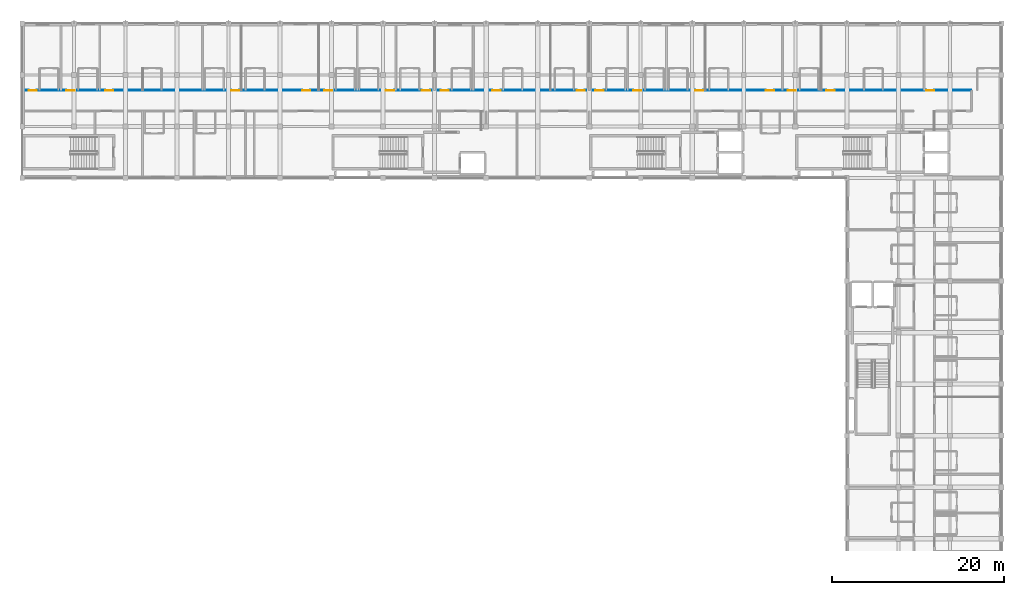
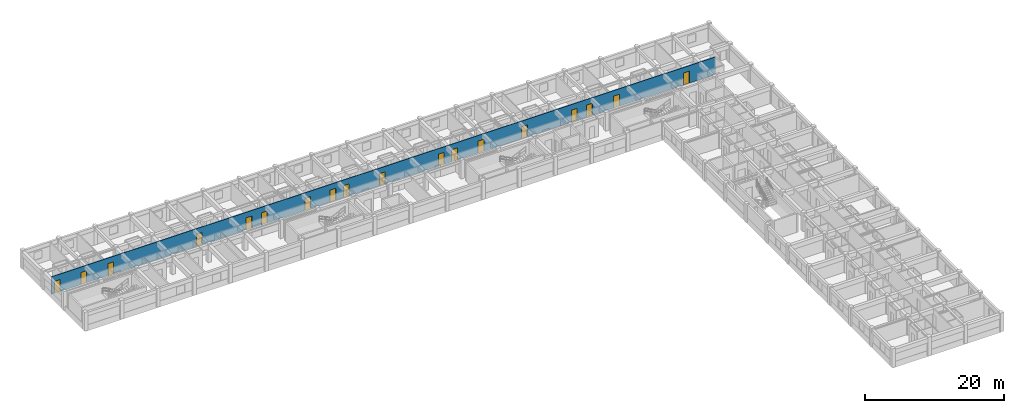
# One storey, part 13 of 22: 18 doors, 1 wall, 18 openings.
"""IFC4 building model written with IfcOpenShell, lengths in metres."""

from ifc_helpers import new_model, si_unit, direction, frame, frame_2d, origin, place, context, subcontext, project, spatial, rectangle, extrude, material, layer, layer_set, type_object, element, fill, save


model = new_model("IFC4")

# Units and contexts
model_context = context("Model", 3, precision=1e-05, world=origin(), true_north=direction((0.0, 1.0)))
body_context = subcontext(model_context, "Body", "Model", "MODEL_VIEW")
ifc_project = project(units=[si_unit("LENGTHUNIT", "METRE"), si_unit("AREAUNIT", "SQUARE_METRE"), si_unit("VOLUMEUNIT", "CUBIC_METRE"), si_unit("PLANEANGLEUNIT", "RADIAN"), si_unit("MASSUNIT", "GRAM", prefix="KILO"), si_unit("THERMODYNAMICTEMPERATUREUNIT", "KELVIN"), si_unit("POWERUNIT", "WATT")], contexts=[model_context])

# Site, building, storey
site_placement = place(None, origin())
site = spatial("IfcSite", under=ifc_project, at=site_placement, CompositionType="ELEMENT")
building_placement = place(site_placement, origin())
building = spatial("IfcBuilding", under=site, at=building_placement, Name="Phaisarnlok Congress Hotel", CompositionType="ELEMENT")
storey_placement = place(building_placement, frame((0.0, 0.0, 28.199951171875)))
storey = spatial("IfcBuildingStorey", under=building, at=storey_placement, Name="L06", CompositionType="ELEMENT", Elevation=28.199951171875)

# Wall, openings, doors
ifc_material_1 = material(Name="Service Riser Shaftwall Partition", Category="gypsum")
ifc_layer = layer(ifc_material_1, 0.10498046875, Name="Service Riser Shaftwall Partition")
ifc_layer_set = layer_set([ifc_layer], Name="Service Riser Shaftwall Partition")
wall_type = type_object("IfcWallType", Name="WL-INT-105", PredefinedType="PARTITIONING", material=ifc_layer_set)
wall_placement = place(storey_placement, frame((66.235107421875, 118.199951171875, 0.0), z_axis=(0.0, 0.0, 1.0), x_axis=(1.0, 0.0, 0.0)))
wall = element("IfcWall", 1, at=wall_placement, inside=storey, type_object=wall_type, Name="Interior partition wall IW-08 (L06)", PredefinedType="PARTITIONING", context=body_context, shape_type="SweptSolid", body=[
    extrude(rectangle(XDim=110.264892578125, YDim=0.10498046875, at=frame_2d((55.13232421875, 0.0))), origin(), (0.0, 0.0, 1.0), 3.080078125),
])
opening_1_placement = place(wall_placement, frame((0.489990234375, 0.0, 0.0)))
opening_1 = element("IfcOpeningElement", 2, at=opening_1_placement, cuts=wall, Name="Opening D-0234", PredefinedType="OPENING", context=body_context, shape_type="SweptSolid", body=[
    extrude(rectangle(XDim=0.949951171875, YDim=2.10009765625, at=frame_2d((0.47509765625, 1.050048828125))), frame((0.0, 0.0625, 0.0), z_axis=(0.0, -1.0, 0.0), x_axis=(1.0, 0.0, 0.0)), (0.0, 0.0, 1.0), 0.125),
])
opening_2_placement = place(wall_placement, frame((4.889892578125, 0.0, 0.0)))
opening_2 = element("IfcOpeningElement", 3, at=opening_2_placement, cuts=wall, Name="Opening D-0236", PredefinedType="OPENING", context=body_context, shape_type="SweptSolid", body=[
    extrude(rectangle(XDim=0.949951171875, YDim=2.10009765625, at=frame_2d((0.47509765625, 1.050048828125))), frame((0.0, 0.0625, 0.0), z_axis=(0.0, -1.0, 0.0), x_axis=(1.0, 0.0, 0.0)), (0.0, 0.0, 1.0), 0.125),
])
opening_3_placement = place(wall_placement, frame((9.389892578125, 0.0, 0.0)))
opening_3 = element("IfcOpeningElement", 4, at=opening_3_placement, cuts=wall, Name="Opening D-0238", PredefinedType="OPENING", context=body_context, shape_type="SweptSolid", body=[
    extrude(rectangle(XDim=0.949951171875, YDim=2.10009765625, at=frame_2d((0.47509765625, 1.050048828125))), frame((0.0, 0.0625, 0.0), z_axis=(0.0, -1.0, 0.0), x_axis=(1.0, 0.0, 0.0)), (0.0, 0.0, 1.0), 0.125),
])
opening_4_placement = place(wall_placement, frame((24.090087890625, 0.0, 0.0)))
opening_4 = element("IfcOpeningElement", 5, at=opening_4_placement, cuts=wall, Name="Opening D-0240", PredefinedType="OPENING", context=body_context, shape_type="SweptSolid", body=[
    extrude(rectangle(XDim=0.949951171875, YDim=2.10009765625, at=frame_2d((0.47509765625, 1.050048828125))), frame((0.0, 0.0625, 0.0), z_axis=(0.0, -1.0, 0.0), x_axis=(1.0, 0.0, 0.0)), (0.0, 0.0, 1.0), 0.125),
])
opening_5_placement = place(wall_placement, frame((32.340087890625, 0.0, 0.0)))
opening_5 = element("IfcOpeningElement", 6, at=opening_5_placement, cuts=wall, Name="Opening D-0242", PredefinedType="OPENING", context=body_context, shape_type="SweptSolid", body=[
    extrude(rectangle(XDim=0.949951171875, YDim=2.10009765625, at=frame_2d((0.47509765625, 1.050048828125))), frame((0.0, 0.0625, 0.0), z_axis=(0.0, -1.0, 0.0), x_axis=(1.0, 0.0, 0.0)), (0.0, 0.0, 1.0), 0.125),
])
opening_6_placement = place(wall_placement, frame((34.889892578125, 0.0, 0.0)))
opening_6 = element("IfcOpeningElement", 7, at=opening_6_placement, cuts=wall, Name="Opening D-0244", PredefinedType="OPENING", context=body_context, shape_type="SweptSolid", body=[
    extrude(rectangle(XDim=0.949951171875, YDim=2.10009765625, at=frame_2d((0.47509765625, 1.050048828125))), frame((0.0, 0.0625, 0.0), z_axis=(0.0, -1.0, 0.0), x_axis=(1.0, 0.0, 0.0)), (0.0, 0.0, 1.0), 0.125),
])
opening_7_placement = place(wall_placement, frame((42.090087890625, 0.0, 0.0)))
opening_7 = element("IfcOpeningElement", 8, at=opening_7_placement, cuts=wall, Name="Opening D-0246", PredefinedType="OPENING", context=body_context, shape_type="SweptSolid", body=[
    extrude(rectangle(XDim=0.949951171875, YDim=2.10009765625, at=frame_2d((0.47509765625, 1.050048828125))), frame((0.0, 0.0625, 0.0), z_axis=(0.0, -1.0, 0.0), x_axis=(1.0, 0.0, 0.0)), (0.0, 0.0, 1.0), 0.125),
])
opening_8_placement = place(wall_placement, frame((46.2900390625, 0.0, 0.0)))
opening_8 = element("IfcOpeningElement", 9, at=opening_8_placement, cuts=wall, Name="Opening D-0248", PredefinedType="OPENING", context=body_context, shape_type="SweptSolid", body=[
    extrude(rectangle(XDim=0.949951171875, YDim=2.10009765625, at=frame_2d((0.47509765625, 1.050048828125))), frame((0.0, 0.0625, 0.0), z_axis=(0.0, -1.0, 0.0), x_axis=(1.0, 0.0, 0.0)), (0.0, 0.0, 1.0), 0.125),
])
opening_9_placement = place(wall_placement, frame((48.489990234375, 0.0, 0.0)))
opening_9 = element("IfcOpeningElement", 10, at=opening_9_placement, cuts=wall, Name="Opening D-0250", PredefinedType="OPENING", context=body_context, shape_type="SweptSolid", body=[
    extrude(rectangle(XDim=0.949951171875, YDim=2.10009765625, at=frame_2d((0.47509765625, 1.050048828125))), frame((0.0, 0.0625, 0.0), z_axis=(0.0, -1.0, 0.0), x_axis=(1.0, 0.0, 0.0)), (0.0, 0.0, 1.0), 0.125),
])
opening_10_placement = place(wall_placement, frame((54.489990234375, 0.0, 0.0)))
opening_10 = element("IfcOpeningElement", 11, at=opening_10_placement, cuts=wall, Name="Opening D-0252", PredefinedType="OPENING", context=body_context, shape_type="SweptSolid", body=[
    extrude(rectangle(XDim=0.949951171875, YDim=2.10009765625, at=frame_2d((0.47509765625, 1.050048828125))), frame((0.0, 0.0625, 0.0), z_axis=(0.0, -1.0, 0.0), x_axis=(1.0, 0.0, 0.0)), (0.0, 0.0, 1.0), 0.125),
])
opening_11_placement = place(wall_placement, frame((64.2900390625, 0.0, 0.0)))
opening_11 = element("IfcOpeningElement", 12, at=opening_11_placement, cuts=wall, Name="Opening D-0254", PredefinedType="OPENING", context=body_context, shape_type="SweptSolid", body=[
    extrude(rectangle(XDim=0.949951171875, YDim=2.10009765625, at=frame_2d((0.47509765625, 1.050048828125))), frame((0.0, 0.0625, 0.0), z_axis=(0.0, -1.0, 0.0), x_axis=(1.0, 0.0, 0.0)), (0.0, 0.0, 1.0), 0.125),
])
opening_12_placement = place(wall_placement, frame((66.489990234375, 0.0, 0.0)))
opening_12 = element("IfcOpeningElement", 13, at=opening_12_placement, cuts=wall, Name="Opening D-0256", PredefinedType="OPENING", context=body_context, shape_type="SweptSolid", body=[
    extrude(rectangle(XDim=0.949951171875, YDim=2.10009765625, at=frame_2d((0.47509765625, 1.050048828125))), frame((0.0, 0.0625, 0.0), z_axis=(0.0, -1.0, 0.0), x_axis=(1.0, 0.0, 0.0)), (0.0, 0.0, 1.0), 0.125),
])
opening_13_placement = place(wall_placement, frame((70.889892578125, 0.0, 0.0)))
opening_13 = element("IfcOpeningElement", 14, at=opening_13_placement, cuts=wall, Name="Opening D-0258", PredefinedType="OPENING", context=body_context, shape_type="SweptSolid", body=[
    extrude(rectangle(XDim=0.949951171875, YDim=2.10009765625, at=frame_2d((0.47509765625, 1.050048828125))), frame((0.0, 0.0625, 0.0), z_axis=(0.0, -1.0, 0.0), x_axis=(1.0, 0.0, 0.0)), (0.0, 0.0, 1.0), 0.125),
])
opening_14_placement = place(wall_placement, frame((78.090087890625, 0.0, 0.0)))
opening_14 = element("IfcOpeningElement", 15, at=opening_14_placement, cuts=wall, Name="Opening D-0260", PredefinedType="OPENING", context=body_context, shape_type="SweptSolid", body=[
    extrude(rectangle(XDim=0.949951171875, YDim=2.10009765625, at=frame_2d((0.47509765625, 1.050048828125))), frame((0.0, 0.0625, 0.0), z_axis=(0.0, -1.0, 0.0), x_axis=(1.0, 0.0, 0.0)), (0.0, 0.0, 1.0), 0.125),
])
opening_15_placement = place(wall_placement, frame((86.340087890625, 0.0, 0.0)))
opening_15 = element("IfcOpeningElement", 16, at=opening_15_placement, cuts=wall, Name="Opening D-0262", PredefinedType="OPENING", context=body_context, shape_type="SweptSolid", body=[
    extrude(rectangle(XDim=0.949951171875, YDim=2.10009765625, at=frame_2d((0.47509765625, 1.050048828125))), frame((0.0, 0.0625, 0.0), z_axis=(0.0, -1.0, 0.0), x_axis=(1.0, 0.0, 0.0)), (0.0, 0.0, 1.0), 0.125),
])
opening_16_placement = place(wall_placement, frame((88.889892578125, 0.0, 0.0)))
opening_16 = element("IfcOpeningElement", 17, at=opening_16_placement, cuts=wall, Name="Opening D-0264", PredefinedType="OPENING", context=body_context, shape_type="SweptSolid", body=[
    extrude(rectangle(XDim=0.949951171875, YDim=2.10009765625, at=frame_2d((0.47509765625, 1.050048828125))), frame((0.0, 0.0625, 0.0), z_axis=(0.0, -1.0, 0.0), x_axis=(1.0, 0.0, 0.0)), (0.0, 0.0, 1.0), 0.125),
])
opening_17_placement = place(wall_placement, frame((93.389892578125, 0.0, 0.0)))
opening_17 = element("IfcOpeningElement", 18, at=opening_17_placement, cuts=wall, Name="Opening D-0266", PredefinedType="OPENING", context=body_context, shape_type="SweptSolid", body=[
    extrude(rectangle(XDim=0.949951171875, YDim=2.10009765625, at=frame_2d((0.47509765625, 1.050048828125))), frame((0.0, 0.0625, 0.0), z_axis=(0.0, -1.0, 0.0), x_axis=(1.0, 0.0, 0.0)), (0.0, 0.0, 1.0), 0.125),
])
opening_18_placement = place(wall_placement, frame((104.989990234375, 0.0, 0.0)))
opening_18 = element("IfcOpeningElement", 19, at=opening_18_placement, cuts=wall, Name="Opening D-0268", PredefinedType="OPENING", context=body_context, shape_type="SweptSolid", body=[
    extrude(rectangle(XDim=0.949951171875, YDim=2.10009765625, at=frame_2d((0.47509765625, 1.050048828125))), frame((0.0, 0.0625, 0.0), z_axis=(0.0, -1.0, 0.0), x_axis=(1.0, 0.0, 0.0)), (0.0, 0.0, 1.0), 0.125),
])
ifc_material_2 = material(Name="Acoustic Solid-Core Teak Veneer", Category="wood")
door_type = type_object("IfcDoorType", Name="DR-FD30-950", OperationType="NOTDEFINED", PredefinedType="DOOR", material=ifc_material_2)
door_1_placement = place(opening_1_placement, origin())
door_1 = element("IfcDoor", 20, at=door_1_placement, inside=storey, type_object=door_type, Name="Interior door D-0234 (L06)", OperationType="SINGLE_SWING_LEFT", OverallHeight=2.10009765625, OverallWidth=0.949951171875, PredefinedType="DOOR", context=body_context, shape_type="SweptSolid", body=[
    extrude(rectangle(XDim=0.949951171875, YDim=2.10009765625, at=frame_2d((0.47509765625, 1.050048828125))), frame((0.0, 0.02490234375, 0.0), z_axis=(0.0, -1.0, 0.0), x_axis=(1.0, 0.0, 0.0)), (0.0, 0.0, 1.0), 0.050048828125),
])
fill(opening_1, door_1)
door_2_placement = place(opening_2_placement, origin())
door_2 = element("IfcDoor", 21, at=door_2_placement, inside=storey, type_object=door_type, Name="Interior door D-0236 (L06)", OperationType="SINGLE_SWING_LEFT", OverallHeight=2.10009765625, OverallWidth=0.949951171875, PredefinedType="DOOR", context=body_context, shape_type="SweptSolid", body=[
    extrude(rectangle(XDim=0.949951171875, YDim=2.10009765625, at=frame_2d((0.47509765625, 1.050048828125))), frame((0.0, 0.02490234375, 0.0), z_axis=(0.0, -1.0, 0.0), x_axis=(1.0, 0.0, 0.0)), (0.0, 0.0, 1.0), 0.050048828125),
])
fill(opening_2, door_2)
door_3_placement = place(opening_3_placement, origin())
door_3 = element("IfcDoor", 22, at=door_3_placement, inside=storey, type_object=door_type, Name="Interior door D-0238 (L06)", OperationType="SINGLE_SWING_LEFT", OverallHeight=2.10009765625, OverallWidth=0.949951171875, PredefinedType="DOOR", context=body_context, shape_type="SweptSolid", body=[
    extrude(rectangle(XDim=0.949951171875, YDim=2.10009765625, at=frame_2d((0.47509765625, 1.050048828125))), frame((0.0, 0.02490234375, 0.0), z_axis=(0.0, -1.0, 0.0), x_axis=(1.0, 0.0, 0.0)), (0.0, 0.0, 1.0), 0.050048828125),
])
fill(opening_3, door_3)
door_4_placement = place(opening_4_placement, origin())
door_4 = element("IfcDoor", 23, at=door_4_placement, inside=storey, type_object=door_type, Name="Interior door D-0240 (L06)", OperationType="SINGLE_SWING_LEFT", OverallHeight=2.10009765625, OverallWidth=0.949951171875, PredefinedType="DOOR", context=body_context, shape_type="SweptSolid", body=[
    extrude(rectangle(XDim=0.949951171875, YDim=2.10009765625, at=frame_2d((0.47509765625, 1.050048828125))), frame((0.0, 0.02490234375, 0.0), z_axis=(0.0, -1.0, 0.0), x_axis=(1.0, 0.0, 0.0)), (0.0, 0.0, 1.0), 0.050048828125),
])
fill(opening_4, door_4)
door_5_placement = place(opening_5_placement, origin())
door_5 = element("IfcDoor", 24, at=door_5_placement, inside=storey, type_object=door_type, Name="Interior door D-0242 (L06)", OperationType="SINGLE_SWING_LEFT", OverallHeight=2.10009765625, OverallWidth=0.949951171875, PredefinedType="DOOR", context=body_context, shape_type="SweptSolid", body=[
    extrude(rectangle(XDim=0.949951171875, YDim=2.10009765625, at=frame_2d((0.47509765625, 1.050048828125))), frame((0.0, 0.02490234375, 0.0), z_axis=(0.0, -1.0, 0.0), x_axis=(1.0, 0.0, 0.0)), (0.0, 0.0, 1.0), 0.050048828125),
])
fill(opening_5, door_5)
door_6_placement = place(opening_6_placement, origin())
door_6 = element("IfcDoor", 25, at=door_6_placement, inside=storey, type_object=door_type, Name="Interior door D-0244 (L06)", OperationType="SINGLE_SWING_LEFT", OverallHeight=2.10009765625, OverallWidth=0.949951171875, PredefinedType="DOOR", context=body_context, shape_type="SweptSolid", body=[
    extrude(rectangle(XDim=0.949951171875, YDim=2.10009765625, at=frame_2d((0.47509765625, 1.050048828125))), frame((0.0, 0.02490234375, 0.0), z_axis=(0.0, -1.0, 0.0), x_axis=(1.0, 0.0, 0.0)), (0.0, 0.0, 1.0), 0.050048828125),
])
fill(opening_6, door_6)
door_7_placement = place(opening_7_placement, origin())
door_7 = element("IfcDoor", 26, at=door_7_placement, inside=storey, type_object=door_type, Name="Interior door D-0246 (L06)", OperationType="SINGLE_SWING_LEFT", OverallHeight=2.10009765625, OverallWidth=0.949951171875, PredefinedType="DOOR", context=body_context, shape_type="SweptSolid", body=[
    extrude(rectangle(XDim=0.949951171875, YDim=2.10009765625, at=frame_2d((0.47509765625, 1.050048828125))), frame((0.0, 0.02490234375, 0.0), z_axis=(0.0, -1.0, 0.0), x_axis=(1.0, 0.0, 0.0)), (0.0, 0.0, 1.0), 0.050048828125),
])
fill(opening_7, door_7)
door_8_placement = place(opening_8_placement, origin())
door_8 = element("IfcDoor", 27, at=door_8_placement, inside=storey, type_object=door_type, Name="Interior door D-0248 (L06)", OperationType="SINGLE_SWING_LEFT", OverallHeight=2.10009765625, OverallWidth=0.949951171875, PredefinedType="DOOR", context=body_context, shape_type="SweptSolid", body=[
    extrude(rectangle(XDim=0.949951171875, YDim=2.10009765625, at=frame_2d((0.47509765625, 1.050048828125))), frame((0.0, 0.02490234375, 0.0), z_axis=(0.0, -1.0, 0.0), x_axis=(1.0, 0.0, 0.0)), (0.0, 0.0, 1.0), 0.050048828125),
])
fill(opening_8, door_8)
door_9_placement = place(opening_9_placement, origin())
door_9 = element("IfcDoor", 28, at=door_9_placement, inside=storey, type_object=door_type, Name="Interior door D-0250 (L06)", OperationType="SINGLE_SWING_LEFT", OverallHeight=2.10009765625, OverallWidth=0.949951171875, PredefinedType="DOOR", context=body_context, shape_type="SweptSolid", body=[
    extrude(rectangle(XDim=0.949951171875, YDim=2.10009765625, at=frame_2d((0.47509765625, 1.050048828125))), frame((0.0, 0.02490234375, 0.0), z_axis=(0.0, -1.0, 0.0), x_axis=(1.0, 0.0, 0.0)), (0.0, 0.0, 1.0), 0.050048828125),
])
fill(opening_9, door_9)
door_10_placement = place(opening_10_placement, origin())
door_10 = element("IfcDoor", 29, at=door_10_placement, inside=storey, type_object=door_type, Name="Interior door D-0252 (L06)", OperationType="SINGLE_SWING_LEFT", OverallHeight=2.10009765625, OverallWidth=0.949951171875, PredefinedType="DOOR", context=body_context, shape_type="SweptSolid", body=[
    extrude(rectangle(XDim=0.949951171875, YDim=2.10009765625, at=frame_2d((0.47509765625, 1.050048828125))), frame((0.0, 0.02490234375, 0.0), z_axis=(0.0, -1.0, 0.0), x_axis=(1.0, 0.0, 0.0)), (0.0, 0.0, 1.0), 0.050048828125),
])
fill(opening_10, door_10)
door_11_placement = place(opening_11_placement, origin())
door_11 = element("IfcDoor", 30, at=door_11_placement, inside=storey, type_object=door_type, Name="Interior door D-0254 (L06)", OperationType="SINGLE_SWING_LEFT", OverallHeight=2.10009765625, OverallWidth=0.949951171875, PredefinedType="DOOR", context=body_context, shape_type="SweptSolid", body=[
    extrude(rectangle(XDim=0.949951171875, YDim=2.10009765625, at=frame_2d((0.47509765625, 1.050048828125))), frame((0.0, 0.02490234375, 0.0), z_axis=(0.0, -1.0, 0.0), x_axis=(1.0, 0.0, 0.0)), (0.0, 0.0, 1.0), 0.050048828125),
])
fill(opening_11, door_11)
door_12_placement = place(opening_12_placement, origin())
door_12 = element("IfcDoor", 31, at=door_12_placement, inside=storey, type_object=door_type, Name="Interior door D-0256 (L06)", OperationType="SINGLE_SWING_LEFT", OverallHeight=2.10009765625, OverallWidth=0.949951171875, PredefinedType="DOOR", context=body_context, shape_type="SweptSolid", body=[
    extrude(rectangle(XDim=0.949951171875, YDim=2.10009765625, at=frame_2d((0.47509765625, 1.050048828125))), frame((0.0, 0.02490234375, 0.0), z_axis=(0.0, -1.0, 0.0), x_axis=(1.0, 0.0, 0.0)), (0.0, 0.0, 1.0), 0.050048828125),
])
fill(opening_12, door_12)
door_13_placement = place(opening_13_placement, origin())
door_13 = element("IfcDoor", 32, at=door_13_placement, inside=storey, type_object=door_type, Name="Interior door D-0258 (L06)", OperationType="SINGLE_SWING_LEFT", OverallHeight=2.10009765625, OverallWidth=0.949951171875, PredefinedType="DOOR", context=body_context, shape_type="SweptSolid", body=[
    extrude(rectangle(XDim=0.949951171875, YDim=2.10009765625, at=frame_2d((0.47509765625, 1.050048828125))), frame((0.0, 0.02490234375, 0.0), z_axis=(0.0, -1.0, 0.0), x_axis=(1.0, 0.0, 0.0)), (0.0, 0.0, 1.0), 0.050048828125),
])
fill(opening_13, door_13)
door_14_placement = place(opening_14_placement, origin())
door_14 = element("IfcDoor", 33, at=door_14_placement, inside=storey, type_object=door_type, Name="Interior door D-0260 (L06)", OperationType="SINGLE_SWING_LEFT", OverallHeight=2.10009765625, OverallWidth=0.949951171875, PredefinedType="DOOR", context=body_context, shape_type="SweptSolid", body=[
    extrude(rectangle(XDim=0.949951171875, YDim=2.10009765625, at=frame_2d((0.47509765625, 1.050048828125))), frame((0.0, 0.02490234375, 0.0), z_axis=(0.0, -1.0, 0.0), x_axis=(1.0, 0.0, 0.0)), (0.0, 0.0, 1.0), 0.050048828125),
])
fill(opening_14, door_14)
door_15_placement = place(opening_15_placement, origin())
door_15 = element("IfcDoor", 34, at=door_15_placement, inside=storey, type_object=door_type, Name="Interior door D-0262 (L06)", OperationType="SINGLE_SWING_LEFT", OverallHeight=2.10009765625, OverallWidth=0.949951171875, PredefinedType="DOOR", context=body_context, shape_type="SweptSolid", body=[
    extrude(rectangle(XDim=0.949951171875, YDim=2.10009765625, at=frame_2d((0.47509765625, 1.050048828125))), frame((0.0, 0.02490234375, 0.0), z_axis=(0.0, -1.0, 0.0), x_axis=(1.0, 0.0, 0.0)), (0.0, 0.0, 1.0), 0.050048828125),
])
fill(opening_15, door_15)
door_16_placement = place(opening_16_placement, origin())
door_16 = element("IfcDoor", 35, at=door_16_placement, inside=storey, type_object=door_type, Name="Interior door D-0264 (L06)", OperationType="SINGLE_SWING_LEFT", OverallHeight=2.10009765625, OverallWidth=0.949951171875, PredefinedType="DOOR", context=body_context, shape_type="SweptSolid", body=[
    extrude(rectangle(XDim=0.949951171875, YDim=2.10009765625, at=frame_2d((0.47509765625, 1.050048828125))), frame((0.0, 0.02490234375, 0.0), z_axis=(0.0, -1.0, 0.0), x_axis=(1.0, 0.0, 0.0)), (0.0, 0.0, 1.0), 0.050048828125),
])
fill(opening_16, door_16)
door_17_placement = place(opening_17_placement, origin())
door_17 = element("IfcDoor", 36, at=door_17_placement, inside=storey, type_object=door_type, Name="Interior door D-0266 (L06)", OperationType="SINGLE_SWING_LEFT", OverallHeight=2.10009765625, OverallWidth=0.949951171875, PredefinedType="DOOR", context=body_context, shape_type="SweptSolid", body=[
    extrude(rectangle(XDim=0.949951171875, YDim=2.10009765625, at=frame_2d((0.47509765625, 1.050048828125))), frame((0.0, 0.02490234375, 0.0), z_axis=(0.0, -1.0, 0.0), x_axis=(1.0, 0.0, 0.0)), (0.0, 0.0, 1.0), 0.050048828125),
])
fill(opening_17, door_17)
door_18_placement = place(opening_18_placement, origin())
door_18 = element("IfcDoor", 37, at=door_18_placement, inside=storey, type_object=door_type, Name="Interior door D-0268 (L06)", OperationType="SINGLE_SWING_LEFT", OverallHeight=2.10009765625, OverallWidth=0.949951171875, PredefinedType="DOOR", context=body_context, shape_type="SweptSolid", body=[
    extrude(rectangle(XDim=0.949951171875, YDim=2.10009765625, at=frame_2d((0.47509765625, 1.050048828125))), frame((0.0, 0.02490234375, 0.0), z_axis=(0.0, -1.0, 0.0), x_axis=(1.0, 0.0, 0.0)), (0.0, 0.0, 1.0), 0.050048828125),
])
fill(opening_18, door_18)

save(model, "model.ifc")
